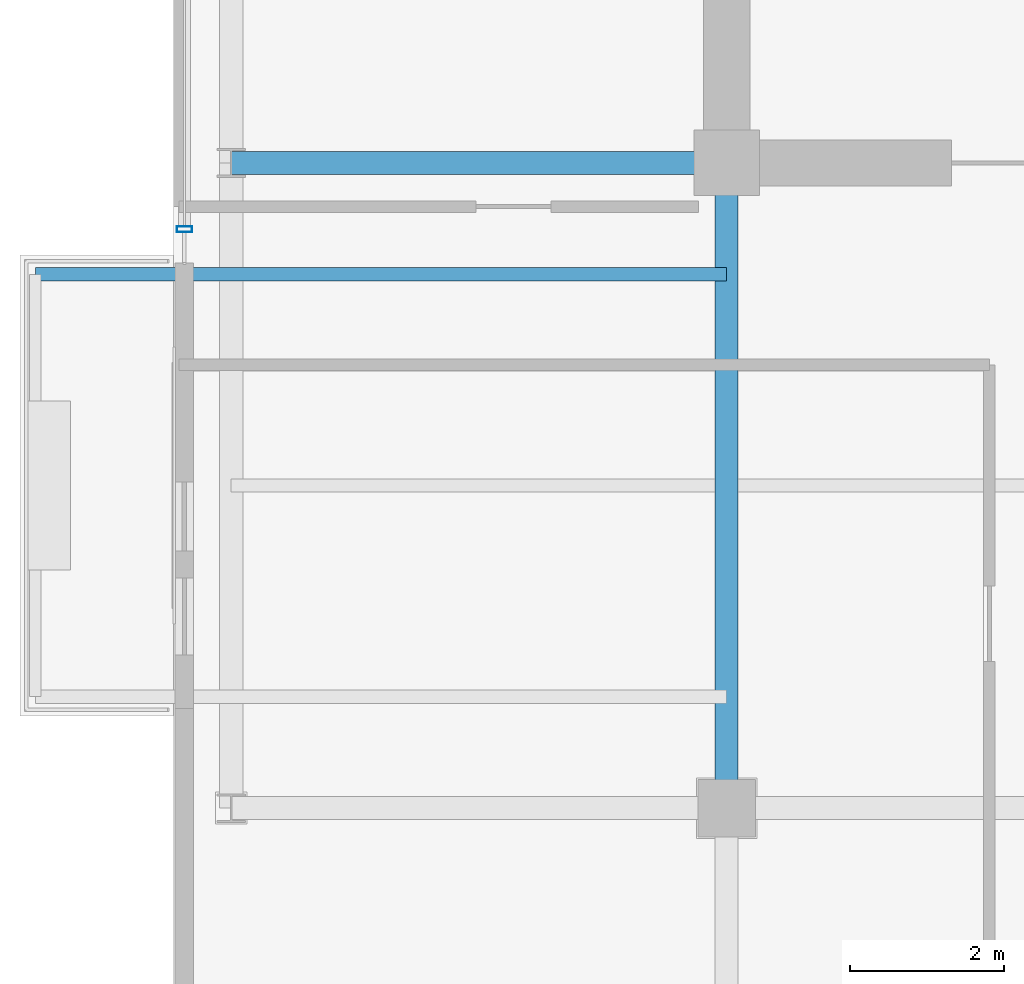
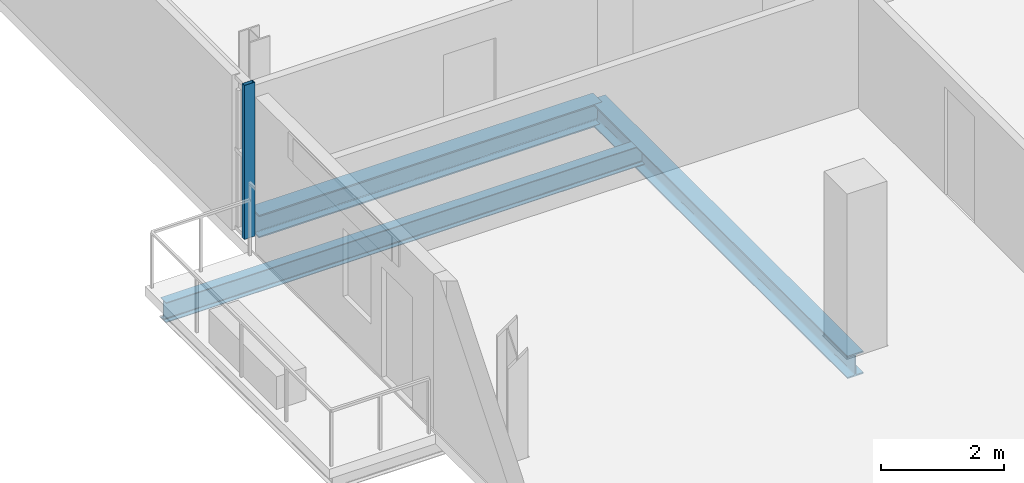
# One storey, part 4 of 28: 3 beams, 1 member, 1 element without a shape of its own.
"""IFC4 building model written with IfcOpenShell, lengths in metres."""

from ifc_helpers import new_model, si_unit, direction, frame, origin, origin_2d, place, context, subcontext, project, spatial, hollow_rectangle, i_section, extrude, source, transform, mapped, material, layer, layer_set, material_profile, profile_set, type_object, element, aggregate, save


model = new_model("IFC4")

# Units and contexts
model_context = context("Model", 3, precision=1e-05, world=origin(), true_north=direction((0.0, 1.0)))
body_context = subcontext(model_context, "Body", "Model", "MODEL_VIEW")
ifc_project = project(units=[si_unit("LENGTHUNIT", "METRE"), si_unit("AREAUNIT", "SQUARE_METRE"), si_unit("VOLUMEUNIT", "CUBIC_METRE"), si_unit("PLANEANGLEUNIT", "RADIAN"), si_unit("MASSUNIT", "GRAM", prefix="KILO")], contexts=[model_context])

# Site, building, storey
site_placement = place(None, origin())
site = spatial("IfcSite", under=ifc_project, at=site_placement, CompositionType="ELEMENT")
building_placement = place(site_placement, origin())
building = spatial("IfcBuilding", under=site, at=building_placement, Name="Zarnakvel Exchange Tower", CompositionType="ELEMENT")
storey_placement = place(building_placement, frame((0.0, 0.0, 268.300048828125)))
storey = spatial("IfcBuildingStorey", under=building, at=storey_placement, Name="L76", CompositionType="ELEMENT", Elevation=268.300048828125)

# Beams
ifc_material_1 = material(Name="Steel S355", Category="steel")
ifc_material_profile_1 = material_profile(ifc_material_1, i_section(OverallWidth=0.179931640625, OverallDepth=0.39990234375, WebThickness=0.008544921875, FlangeThickness=0.013427734375, FilletRadius=0.02099609375, at=origin_2d()))
ifc_profile_set_1 = profile_set([ifc_material_profile_1], Name="Steel S355")
beam_type_1 = type_object("IfcBeamType", Name="B-06", PredefinedType="JOIST", material=ifc_profile_set_1)
beam_1_placement = place(storey_placement, frame((-14.39990234375, -2.64990234375, -0.425048828125), z_axis=(-1.0, 0.0, 0.0), x_axis=(0.0, -1.0, 0.0)))
element("IfcBeam", 1, at=beam_1_placement, inside=storey, type_object=beam_type_1, Name="L76 Continuous West Loggia Beam N", PredefinedType="JOIST", context=body_context, shape_type="SweptSolid", body=[
    extrude(i_section(OverallWidth=0.179931640625, OverallDepth=0.39990234375, WebThickness=0.008544921875, FlangeThickness=0.013427734375, FilletRadius=0.02099609375, at=origin_2d()), origin(), (0.0, 0.0, 1.0), 9.0),
])
ifc_material_profile_2 = material_profile(ifc_material_1, i_section(OverallWidth=0.300048828125, OverallDepth=0.449951171875, WebThickness=0.013916015625, FlangeThickness=0.02587890625, FilletRadius=0.027099609375, at=origin_2d()))
ifc_profile_set_2 = profile_set([ifc_material_profile_2], Name="Steel S355")
beam_type_2 = type_object("IfcBeamType", Name="G-07", PredefinedType="BEAM", material=ifc_profile_set_2)
beam_2_placement = place(storey_placement, frame((-20.85009765625, -1.199951171875, -0.449951171875), z_axis=(1.0, 0.0, 0.0), x_axis=(0.0, 1.0, 0.0)))
element("IfcBeam", 2, at=beam_2_placement, inside=storey, type_object=beam_type_2, Name="L76 Tower E-W Frame Beam", PredefinedType="BEAM", context=body_context, shape_type="SweptSolid", body=[
    extrude(i_section(OverallWidth=0.300048828125, OverallDepth=0.449951171875, WebThickness=0.013916015625, FlangeThickness=0.02587890625, FilletRadius=0.027099609375, at=origin_2d()), origin(), (0.0, 0.0, 1.0), 6.4501953125),
])
beam_3_placement = place(storey_placement, frame((-14.39990234375, -9.60009765625, -0.449951171875), z_axis=(0.0, 1.0, 0.0), x_axis=(-1.0, 0.0, 0.0)))
element("IfcBeam", 3, at=beam_3_placement, inside=storey, type_object=beam_type_2, Name="L76 Tower N-S Frame Beam", PredefinedType="BEAM", context=body_context, shape_type="SweptSolid", body=[
    extrude(i_section(OverallWidth=0.300048828125, OverallDepth=0.449951171875, WebThickness=0.013916015625, FlangeThickness=0.02587890625, FilletRadius=0.027099609375, at=origin_2d()), origin(), (0.0, 0.0, 1.0), 8.400146484375),
])

# Curtain wall, member
ifc_material_2 = material(Name="Architectural Bronze Anodised Aluminium", Category="aluminium")
ifc_layer = layer(ifc_material_2, 0.199951171875)
ifc_layer_set = layer_set([ifc_layer], Name="Architectural Bronze Anodised Aluminium")
curtain_wall_type = type_object("IfcCurtainWallType", Name="CW-04", PredefinedType="NOTDEFINED", material=ifc_layer_set)
curtain_wall_placement = place(storey_placement, origin())
curtain_wall = element("IfcCurtainWall", 4, at=curtain_wall_placement, inside=storey, type_object=curtain_wall_type, Name="L76 Curtain Wall CW-L76-WN (CW-04)", PredefinedType="NOTDEFINED")
ifc_material_profile_3 = material_profile(ifc_material_2, hollow_rectangle(XDim=0.199951171875, YDim=0.074951171875, WallThickness=0.0048828125, at=origin_2d()))
ifc_profile_set_3 = profile_set([ifc_material_profile_3], Name="Architectural Bronze Anodised Aluminium")
member_type = type_object("IfcMemberType", Name="CWM-04", PredefinedType="MULLION", material=ifc_profile_set_3)
shared_shape = source(origin(), body_context, "Body", "SweptSolid", [
    extrude(hollow_rectangle(XDim=0.199951171875, YDim=0.074951171875, WallThickness=0.0048828125, at=origin_2d()), origin(), (0.0, 0.0, 1.0), 3.06005859375),
])
member_placement = place(storey_placement, frame((-21.4599609375, -2.0625, 0.0), z_axis=(0.0, 0.0, 1.0), x_axis=(-1.0, 0.0, 0.0)))
member = element("IfcMember", 5, at=member_placement, type_object=member_type, Name="CW-04 mullion 1", PredefinedType="MULLION", context=body_context, shape_type="MappedRepresentation", body=[
    mapped(shared_shape, transform((0.0, 0.0, 0.0), x_axis=(1.0, 0.0, 0.0), y_axis=(0.0, 1.0, 0.0), z_axis=(0.0, 0.0, 1.0), scale=1.0)),
])
aggregate(curtain_wall, [member])

save(model, "model.ifc")
